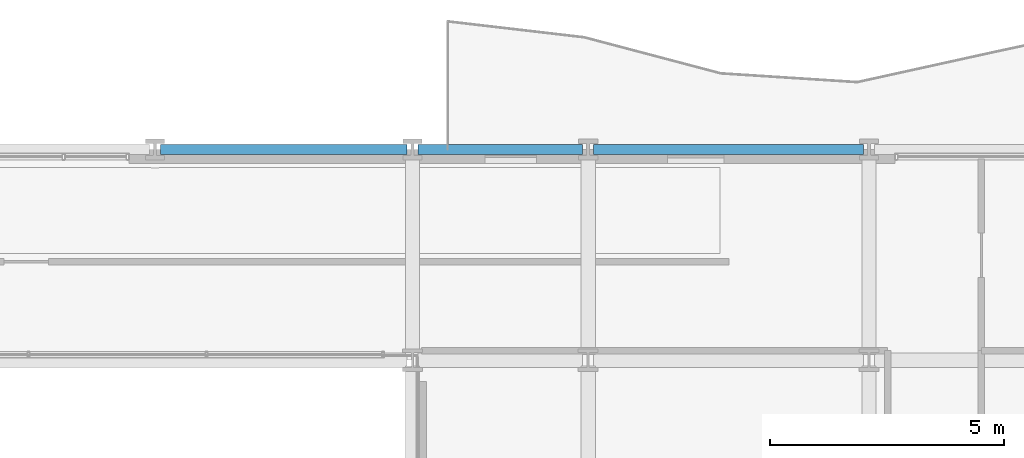
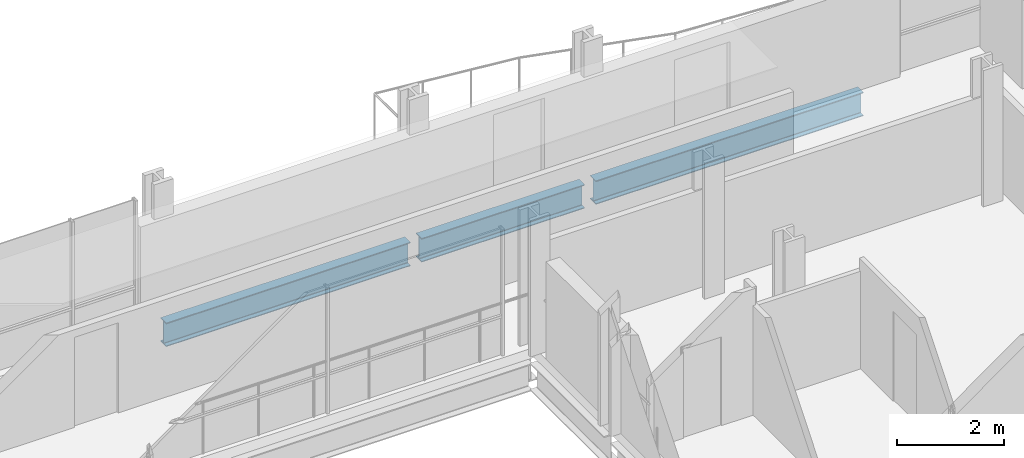
# One storey, part 23 of 41: 3 beams.
"""IFC4 building model written with IfcOpenShell, lengths in metres."""

from ifc_helpers import new_model, si_unit, direction, frame, origin, origin_2d, place, context, subcontext, project, spatial, i_section, extrude, material, material_profile, profile_set, type_object, element, save


model = new_model("IFC4")

# Units and contexts
model_context = context("Model", 3, precision=1e-05, world=origin(), true_north=direction((0.0, 1.0)))
body_context = subcontext(model_context, "Body", "Model", "MODEL_VIEW")
ifc_project = project(units=[si_unit("LENGTHUNIT", "METRE"), si_unit("AREAUNIT", "SQUARE_METRE"), si_unit("VOLUMEUNIT", "CUBIC_METRE"), si_unit("PLANEANGLEUNIT", "RADIAN"), si_unit("MASSUNIT", "GRAM", prefix="KILO")], contexts=[model_context])

# Site, building, storey
site_placement = place(None, origin())
site = spatial("IfcSite", under=ifc_project, at=site_placement, CompositionType="ELEMENT")
building_placement = place(site_placement, origin())
building = spatial("IfcBuilding", under=site, at=building_placement, Name="Brevholm Reach", CompositionType="ELEMENT")
storey_placement = place(building_placement, frame((0.0, 0.0, 49.699951171875)))
storey = spatial("IfcBuildingStorey", under=building, at=storey_placement, Name="L13", CompositionType="ELEMENT", Elevation=49.699951171875)

# Beams
ifc_material = material(Name="Structural Steel S355J2", Category="steel")
ifc_material_profile = material_profile(ifc_material, i_section(OverallWidth=0.210693359375, OverallDepth=0.53955078125, WebThickness=0.01171875, FlangeThickness=0.018798828125, FilletRadius=0.0126953125, at=origin_2d()), Name="UKB 533x210x109")
ifc_profile_set = profile_set([ifc_material_profile], Name="Structural Steel S355J2")
beam_type = type_object("IfcBeamType", Name="BM-SP539", PredefinedType="SPANDREL", material=ifc_profile_set)
beam_1_placement = place(storey_placement, frame((32.8701171875, 31.0, -0.499755859375), z_axis=(1.0, 0.0, 0.0), x_axis=(0.0, 1.0, 0.0)))
element("IfcBeam", 1, at=beam_1_placement, inside=storey, type_object=beam_type, Name="L13 SP-01B Framing Beam", PredefinedType="SPANDREL", context=body_context, shape_type="SweptSolid", body=[
    extrude(i_section(OverallWidth=0.210693359375, OverallDepth=0.53955078125, WebThickness=0.01171875, FlangeThickness=0.018798828125, FilletRadius=0.0126953125, at=origin_2d()), origin(), (0.0, 0.0, 1.0), 5.259765625),
])
beam_2_placement = place(storey_placement, frame((38.3701171875, 31.0, -0.499755859375), z_axis=(1.0, 0.0, 0.0), x_axis=(0.0, 1.0, 0.0)))
element("IfcBeam", 2, at=beam_2_placement, inside=storey, type_object=beam_type, Name="L13 SP-01B Framing Beam", PredefinedType="SPANDREL", context=body_context, shape_type="SweptSolid", body=[
    extrude(i_section(OverallWidth=0.210693359375, OverallDepth=0.53955078125, WebThickness=0.01171875, FlangeThickness=0.018798828125, FilletRadius=0.0126953125, at=origin_2d()), origin(), (0.0, 0.0, 1.0), 3.509765625),
])
beam_3_placement = place(storey_placement, frame((42.1201171875, 31.0, -0.499755859375), z_axis=(1.0, 0.0, 0.0), x_axis=(0.0, 1.0, 0.0)))
element("IfcBeam", 3, at=beam_3_placement, inside=storey, type_object=beam_type, Name="L13 SP-01B Framing Beam", PredefinedType="SPANDREL", context=body_context, shape_type="SweptSolid", body=[
    extrude(i_section(OverallWidth=0.210693359375, OverallDepth=0.53955078125, WebThickness=0.01171875, FlangeThickness=0.018798828125, FilletRadius=0.0126953125, at=origin_2d()), origin(), (0.0, 0.0, 1.0), 5.759765625),
])

save(model, "model.ifc")
